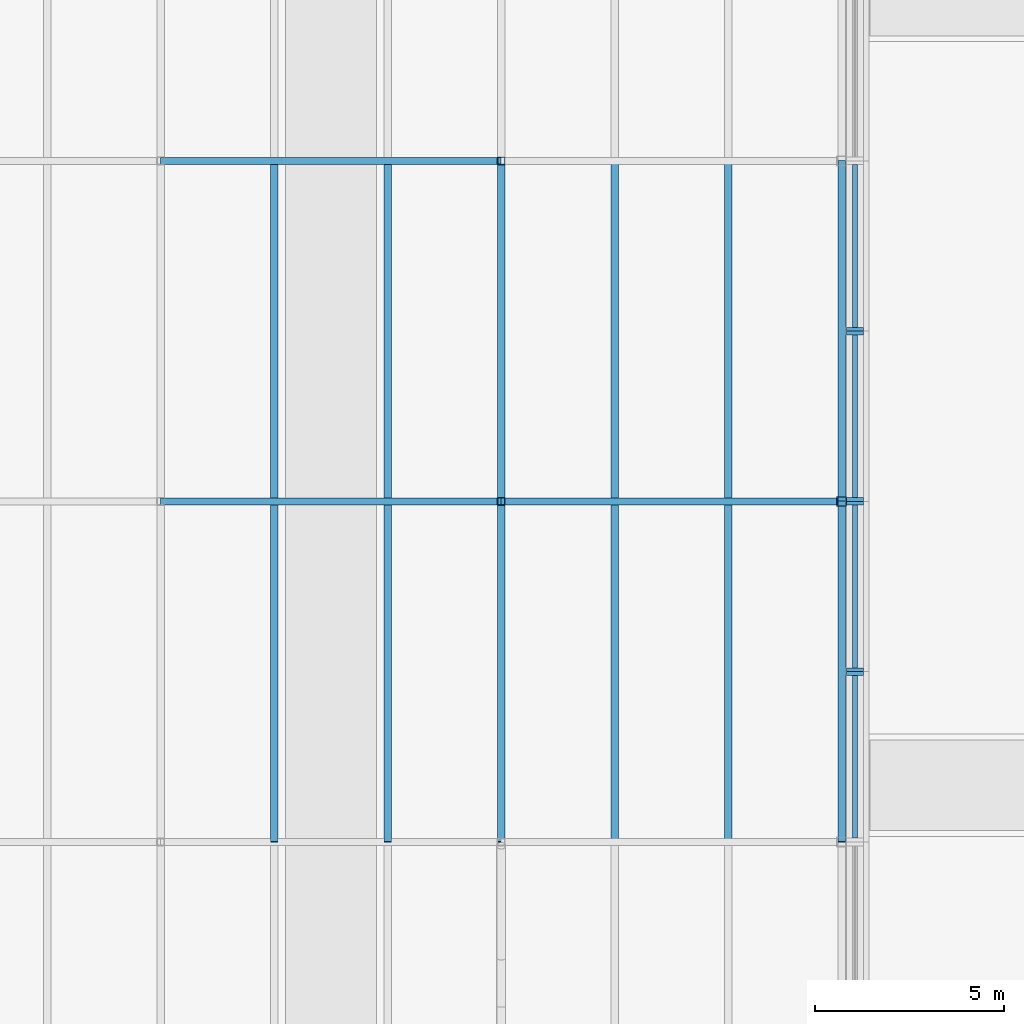
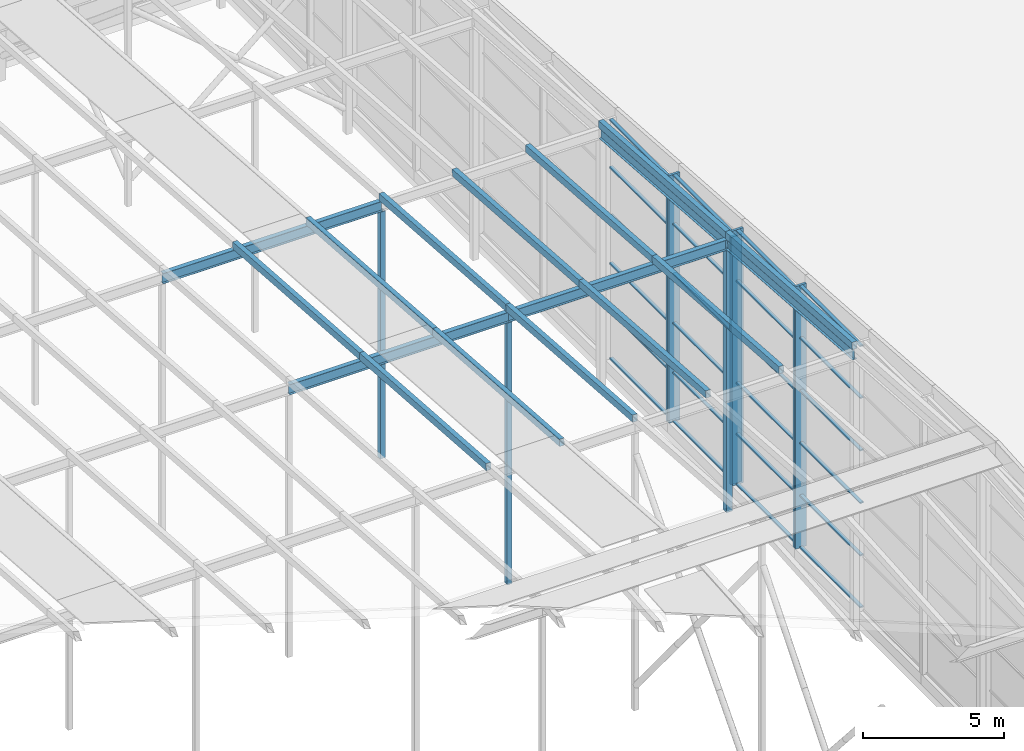
# One storey, part 43 of 84: 45 members, 5 beams, 4 elements without a shape of their own.
"""IFC4 building model written with IfcOpenShell, lengths in metres."""

from ifc_helpers import new_model, si_unit, direction, frame, origin, origin_2d, place, context, subcontext, project, spatial, rectangle, hollow_rectangle, i_section, extrude, material, material_profile, profile_set, type_object, element, aggregate, save


model = new_model("IFC4")

# Units and contexts
model_context = context("Model", 3, precision=1e-05, world=origin(), true_north=direction((0.0, 1.0)))
body_context = subcontext(model_context, "Body", "Model", "MODEL_VIEW")
ifc_project = project(units=[si_unit("LENGTHUNIT", "METRE"), si_unit("AREAUNIT", "SQUARE_METRE"), si_unit("VOLUMEUNIT", "CUBIC_METRE"), si_unit("PLANEANGLEUNIT", "RADIAN"), si_unit("MASSUNIT", "GRAM", prefix="KILO")], contexts=[model_context])

# Site, building, storey
site_placement = place(None, origin())
site = spatial("IfcSite", under=ifc_project, at=site_placement, CompositionType="ELEMENT")
building_placement = place(site_placement, origin())
building = spatial("IfcBuilding", under=site, at=building_placement, Name="Silverbay Arena", CompositionType="ELEMENT")
storey_placement = place(building_placement, frame((0.0, 0.0, 47.10009765625)))
storey = spatial("IfcBuildingStorey", under=building, at=storey_placement, Name="ROOF", CompositionType="ELEMENT", Elevation=47.10009765625)

# Curtain wall, member
ifc_material_1 = material(Name="Aluminium framed glazing", Category="aluminium")
curtain_wall_type_1 = type_object("IfcCurtainWallType", Name="Curtain wall crown 4500 x 11375", PredefinedType="NOTDEFINED", material=ifc_material_1)
curtain_wall_1_placement = place(storey_placement, origin())
curtain_wall_1 = element("IfcCurtainWall", 1, at=curtain_wall_1_placement, inside=storey, type_object=curtain_wall_type_1, Name="ROOF CROWN CURTAIN WALL east bay 16", PredefinedType="NOTDEFINED")
ifc_material_2 = material(Name="Aluminium", Category="aluminium")
ifc_material_profile_1 = material_profile(ifc_material_2, rectangle(XDim=0.449951171875, YDim=0.10009765625, at=origin_2d()), Name="Mullion 100 x 450")
ifc_profile_set_1 = profile_set([ifc_material_profile_1], Name="Aluminium")
member_type_1 = type_object("IfcMemberType", Name="Mullion 100 x 450", PredefinedType="MULLION", material=ifc_profile_set_1)
placement = place(building_placement, frame((0.0, 0.0, 33.5)))
member_1_placement = place(placement, frame((180.35009765625, 94.449951171875, 14.050048828125), z_axis=(0.0, 0.0, 1.0), x_axis=(-1.0, 0.0, 0.0)))
member_1 = element("IfcMember", 2, at=member_1_placement, type_object=member_type_1, Name="CW73 mullion 2", PredefinedType="MULLION", context=body_context, shape_type="SweptSolid", body=[
    extrude(rectangle(XDim=0.449951171875, YDim=0.10009765625, at=origin_2d()), origin(), (0.0, 0.0, 1.0), 11.375),
])

# Curtain wall, members
ifc_material_3 = material(Name="Aluminium framed glazing", Category="aluminium")
curtain_wall_type_2 = type_object("IfcCurtainWallType", Name="Curtain wall crown 4500 x 11050", PredefinedType="NOTDEFINED", material=ifc_material_3)
curtain_wall_2_placement = place(storey_placement, origin())
curtain_wall_2 = element("IfcCurtainWall", 3, at=curtain_wall_2_placement, inside=storey, type_object=curtain_wall_type_2, Name="ROOF CROWN CURTAIN WALL east bay 17", PredefinedType="NOTDEFINED")
member_2_placement = place(placement, frame((180.35009765625, 94.550048828125, 14.050048828125), z_axis=(0.0, 0.0, 1.0), x_axis=(-1.0, 0.0, 0.0)))
member_2 = element("IfcMember", 4, at=member_2_placement, type_object=member_type_1, Name="CW72 mullion 1", PredefinedType="MULLION", context=body_context, shape_type="SweptSolid", body=[
    extrude(rectangle(XDim=0.449951171875, YDim=0.10009765625, at=origin_2d()), origin(), (0.0, 0.0, 1.0), 11.050048828125),
])
member_3_placement = place(placement, frame((180.35009765625, 98.949951171875, 14.050048828125), z_axis=(0.0, 0.0, 1.0), x_axis=(-1.0, 0.0, 0.0)))
member_3 = element("IfcMember", 5, at=member_3_placement, type_object=member_type_1, Name="CW72 mullion 2", PredefinedType="MULLION", context=body_context, shape_type="SweptSolid", body=[
    extrude(rectangle(XDim=0.449951171875, YDim=0.10009765625, at=origin_2d()), origin(), (0.0, 0.0, 1.0), 11.050048828125),
])

ifc_material_4 = material(Name="Aluminium framed glazing", Category="aluminium")
curtain_wall_type_3 = type_object("IfcCurtainWallType", Name="Curtain wall crown 4500 x 10725", PredefinedType="NOTDEFINED", material=ifc_material_4)
curtain_wall_3_placement = place(storey_placement, origin())
curtain_wall_3 = element("IfcCurtainWall", 6, at=curtain_wall_3_placement, inside=storey, type_object=curtain_wall_type_3, Name="ROOF CROWN CURTAIN WALL east bay 18", PredefinedType="NOTDEFINED")
member_4_placement = place(placement, frame((180.35009765625, 99.050048828125, 14.050048828125), z_axis=(0.0, 0.0, 1.0), x_axis=(-1.0, 0.0, 0.0)))
member_4 = element("IfcMember", 7, at=member_4_placement, type_object=member_type_1, Name="CW71 mullion 1", PredefinedType="MULLION", context=body_context, shape_type="SweptSolid", body=[
    extrude(rectangle(XDim=0.449951171875, YDim=0.10009765625, at=origin_2d()), origin(), (0.0, 0.0, 1.0), 10.724853515625),
])
member_5_placement = place(placement, frame((180.35009765625, 103.449951171875, 14.050048828125), z_axis=(0.0, 0.0, 1.0), x_axis=(-1.0, 0.0, 0.0)))
member_5 = element("IfcMember", 8, at=member_5_placement, type_object=member_type_1, Name="CW71 mullion 2", PredefinedType="MULLION", context=body_context, shape_type="SweptSolid", body=[
    extrude(rectangle(XDim=0.449951171875, YDim=0.10009765625, at=origin_2d()), origin(), (0.0, 0.0, 1.0), 10.724853515625),
])

# Curtain wall, member
ifc_material_5 = material(Name="Aluminium framed glazing", Category="aluminium")
curtain_wall_type_4 = type_object("IfcCurtainWallType", Name="Curtain wall crown 4500 x 10400", PredefinedType="NOTDEFINED", material=ifc_material_5)
curtain_wall_4_placement = place(storey_placement, origin())
curtain_wall_4 = element("IfcCurtainWall", 9, at=curtain_wall_4_placement, inside=storey, type_object=curtain_wall_type_4, Name="ROOF CROWN CURTAIN WALL east bay 19", PredefinedType="NOTDEFINED")
member_6_placement = place(placement, frame((180.35009765625, 103.550048828125, 14.050048828125), z_axis=(0.0, 0.0, 1.0), x_axis=(-1.0, 0.0, 0.0)))
member_6 = element("IfcMember", 10, at=member_6_placement, type_object=member_type_1, Name="CW70 mullion 1", PredefinedType="MULLION", context=body_context, shape_type="SweptSolid", body=[
    extrude(rectangle(XDim=0.449951171875, YDim=0.10009765625, at=origin_2d()), origin(), (0.0, 0.0, 1.0), 10.39990234375),
])

# Members
ifc_material_6 = material(Name="Steel S355", Category="steel")
ifc_material_profile_2 = material_profile(ifc_material_6, hollow_rectangle(XDim=0.199951171875, YDim=0.300048828125, WallThickness=0.00634765625, at=origin_2d()), Name="RHS 300x200x6.3")
ifc_profile_set_2 = profile_set([ifc_material_profile_2], Name="Steel S355")
member_type_2 = type_object("IfcMemberType", Name="Purlin RHS 300x200x6.3", PredefinedType="PURLIN", material=ifc_profile_set_2)
for number, where, z_axis, x_axis, name in (
    (11, (165.0, 90.0, 11.99951171875), (0.0, 0.997402911363, -0.072023832195), (-1.0, 0.0, 0.0), "ROOF PURLIN crown line 29 bay 08"),
    (12, (165.0, 99.0, 11.349609375), (0.0, 0.997400967367, -0.07205074805), (-1.0, 0.0, 0.0), "ROOF PURLIN crown line 29 bay 09"),
    (13, (168.0, 90.0, 11.99951171875), (0.0, 0.997402911363, -0.072023832195), (-1.0, 0.0, 0.0), "ROOF PURLIN crown line 30 bay 08"),
    (14, (168.0, 99.0, 11.349609375), (0.0, 0.997400967367, -0.07205074805), (-1.0, 0.0, 0.0), "ROOF PURLIN crown line 30 bay 09"),
    (15, (171.0, 90.0, 11.99951171875), (0.0, 0.997402911363, -0.072023832195), (-1.0, 0.0, 0.0), "ROOF PURLIN crown line 31 bay 08"),
    (16, (171.0, 99.0, 11.349609375), (0.0, 0.997400967367, -0.07205074805), (-1.0, 0.0, 0.0), "ROOF PURLIN crown line 31 bay 09"),
    (17, (174.0, 90.0, 11.99951171875), (0.0, 0.997402911363, -0.072023832195), (-1.0, 0.0, 0.0), "ROOF PURLIN crown line 32 bay 08"),
    (18, (174.0, 99.0, 11.349609375), (0.0, 0.997400967367, -0.07205074805), (-1.0, 0.0, 0.0), "ROOF PURLIN crown line 32 bay 09"),
    (19, (177.0, 90.0, 11.99951171875), (0.0, 0.997402911363, -0.072023832195), (-1.0, 0.0, 0.0), "ROOF PURLIN crown line 33 bay 08"),
    (20, (177.0, 99.0, 11.349609375), (0.0, 0.997400967367, -0.07205074805), (-1.0, 0.0, 0.0), "ROOF PURLIN crown line 33 bay 09"),
):
    element("IfcMember", number, at=place(storey_placement, frame(where, z_axis=z_axis, x_axis=x_axis)), inside=storey, type_object=member_type_2, Name=name, PredefinedType="PURLIN", context=body_context, shape_type="SweptSolid", body=[
        extrude(hollow_rectangle(XDim=0.199951171875, YDim=0.300048828125, WallThickness=0.00634765625, at=origin_2d()), origin(), (0.0, 0.0, 1.0), 9.0234375),
    ])
ifc_material_7 = material(Name="Steel S355", Category="steel")
ifc_material_profile_3 = material_profile(ifc_material_7, hollow_rectangle(XDim=0.199951171875, YDim=0.300048828125, WallThickness=0.008056640625, at=origin_2d()), Name="RHS 300x200x8")
ifc_profile_set_3 = profile_set([ifc_material_profile_3], Name="Steel S355")
member_type_3 = type_object("IfcMemberType", Name="Purlin RHS 300x200x8", PredefinedType="PURLIN", material=ifc_profile_set_3)
for number, where, z_axis, x_axis, name in (
    (21, (180.0, 90.0, 11.99951171875), (0.0, 0.997402911363, -0.072023832195), (-1.0, 0.0, 0.0), "ROOF PURLIN crown line 34 bay 08"),
    (22, (180.0, 99.0, 11.349609375), (0.0, 0.997400967367, -0.07205074805), (-1.0, 0.0, 0.0), "ROOF PURLIN crown line 34 bay 09"),
):
    element("IfcMember", number, at=place(storey_placement, frame(where, z_axis=z_axis, x_axis=x_axis)), inside=storey, type_object=member_type_3, Name=name, PredefinedType="PURLIN", context=body_context, shape_type="SweptSolid", body=[
        extrude(hollow_rectangle(XDim=0.199951171875, YDim=0.300048828125, WallThickness=0.008056640625, at=origin_2d()), origin(), (0.0, 0.0, 1.0), 9.0234375),
    ])

# Beams
ifc_material_8 = material(Name="Steel S355", Category="steel")
ifc_material_profile_4 = material_profile(ifc_material_8, i_section(OverallWidth=0.18994140625, OverallDepth=0.453369140625, WebThickness=0.008544921875, FlangeThickness=0.0126953125, at=origin_2d()), Name="UB 457x191x67")
ifc_profile_set_4 = profile_set([ifc_material_profile_4], Name="Steel S355")
beam_type = type_object("IfcBeamType", Name="Ring beam UB 457x191x67", PredefinedType="BEAM", material=ifc_profile_set_4)
beam_1_placement = place(storey_placement, frame((162.0, 99.0, 10.972412109375), z_axis=(1.0, 0.0, 0.0), x_axis=(0.0, 1.0, 0.0)))
element("IfcBeam", 23, at=beam_1_placement, inside=storey, type_object=beam_type, Name="RING BEAM crown row 09 19-20", PredefinedType="BEAM", context=body_context, shape_type="SweptSolid", body=[
    extrude(i_section(OverallWidth=0.18994140625, OverallDepth=0.453369140625, WebThickness=0.008544921875, FlangeThickness=0.0126953125, at=origin_2d()), origin(), (0.0, 0.0, 1.0), 9.0),
])
beam_2_placement = place(storey_placement, frame((171.0, 99.0, 10.972412109375), z_axis=(1.0, 0.0, 0.0), x_axis=(0.0, 1.0, 0.0)))
element("IfcBeam", 24, at=beam_2_placement, inside=storey, type_object=beam_type, Name="RING BEAM crown row 09 20-21", PredefinedType="BEAM", context=body_context, shape_type="SweptSolid", body=[
    extrude(i_section(OverallWidth=0.18994140625, OverallDepth=0.453369140625, WebThickness=0.008544921875, FlangeThickness=0.0126953125, at=origin_2d()), origin(), (0.0, 0.0, 1.0), 8.905029296875),
])
beam_3_placement = place(storey_placement, frame((162.0, 108.0, 10.322509765625), z_axis=(1.0, 0.0, 0.0), x_axis=(0.0, 1.0, 0.0)))
element("IfcBeam", 25, at=beam_3_placement, inside=storey, type_object=beam_type, Name="RING BEAM crown row 10 19-20", PredefinedType="BEAM", context=body_context, shape_type="SweptSolid", body=[
    extrude(i_section(OverallWidth=0.18994140625, OverallDepth=0.453369140625, WebThickness=0.008544921875, FlangeThickness=0.0126953125, at=origin_2d()), origin(), (0.0, 0.0, 1.0), 9.0),
])
for number, where, z_axis, x_axis, name in (
    (26, (180.0, 90.0, 11.622314453125), (0.0, 0.997402911363, -0.072023832195), (-1.0, 0.0, 0.0), "RING BEAM crown east edge 08"),
    (27, (180.0, 99.0, 10.972412109375), (0.0, 0.997402911363, -0.072023832195), (-1.0, 0.0, 0.0), "RING BEAM crown east edge 09"),
):
    element("IfcBeam", number, at=place(storey_placement, frame(where, z_axis=z_axis, x_axis=x_axis)), inside=storey, type_object=beam_type, Name=name, PredefinedType="BEAM", context=body_context, shape_type="SweptSolid", body=[
        extrude(i_section(OverallWidth=0.18994140625, OverallDepth=0.453369140625, WebThickness=0.008544921875, FlangeThickness=0.0126953125, at=origin_2d()), origin(), (0.0, 0.0, 1.0), 9.0234375),
    ])

# Members
ifc_material_9 = material(Name="Steel S355", Category="steel")
ifc_material_profile_5 = material_profile(ifc_material_9, hollow_rectangle(XDim=0.199951171875, YDim=0.199951171875, WallThickness=0.008056640625, at=origin_2d()), Name="SHS 200x200x8")
ifc_profile_set_5 = profile_set([ifc_material_profile_5], Name="Steel S355")
member_type_4 = type_object("IfcMemberType", Name="Roof post SHS 200x200x8", PredefinedType="POST", material=ifc_profile_set_5)
member_7_placement = place(storey_placement, frame((171.0, 99.0, -0.60009765625), z_axis=(0.0, 0.0, 1.0), x_axis=(1.0, 0.0, 0.0)))
element("IfcMember", 28, at=member_7_placement, inside=storey, type_object=member_type_4, Name="ROOF CROWN POST 20 row 09", PredefinedType="POST", context=body_context, shape_type="SweptSolid", body=[
    extrude(hollow_rectangle(XDim=0.199951171875, YDim=0.199951171875, WallThickness=0.008056640625, at=origin_2d()), origin(), (0.0, 0.0, 1.0), 11.345703125),
])
member_8_placement = place(storey_placement, frame((171.0, 108.0, -0.60009765625), z_axis=(0.0, 0.0, 1.0), x_axis=(1.0, 0.0, 0.0)))
element("IfcMember", 29, at=member_8_placement, inside=storey, type_object=member_type_4, Name="ROOF CROWN POST 20 row 10", PredefinedType="POST", context=body_context, shape_type="SweptSolid", body=[
    extrude(hollow_rectangle(XDim=0.199951171875, YDim=0.199951171875, WallThickness=0.008056640625, at=origin_2d()), origin(), (0.0, 0.0, 1.0), 10.69580078125),
])
ifc_material_10 = material(Name="Steel S355", Category="steel")
ifc_material_profile_6 = material_profile(ifc_material_10, hollow_rectangle(XDim=0.25, YDim=0.25, WallThickness=0.008056640625, at=origin_2d()), Name="SHS 250x250x8")
ifc_profile_set_6 = profile_set([ifc_material_profile_6], Name="Steel S355")
member_type_5 = type_object("IfcMemberType", Name="Roof post SHS 250x250x8", PredefinedType="POST", material=ifc_profile_set_6)
member_9_placement = place(storey_placement, frame((180.0, 99.0, -0.60009765625), z_axis=(0.0, 0.0, 1.0), x_axis=(1.0, 0.0, 0.0)))
element("IfcMember", 30, at=member_9_placement, inside=storey, type_object=member_type_5, Name="ROOF CROWN POST 21 row 09", PredefinedType="POST", context=body_context, shape_type="SweptSolid", body=[
    extrude(hollow_rectangle(XDim=0.25, YDim=0.25, WallThickness=0.008056640625, at=origin_2d()), origin(), (0.0, 0.0, 1.0), 11.345703125),
])

# Member
ifc_material_11 = material(Name="Aluminium", Category="aluminium")
ifc_material_profile_7 = material_profile(ifc_material_11, rectangle(XDim=0.139892578125, YDim=0.06005859375, at=origin_2d()), Name="Transom 60 x 140")
ifc_profile_set_7 = profile_set([ifc_material_profile_7], Name="Aluminium")
member_type_6 = type_object("IfcMemberType", Name="Transom 60 x 140", PredefinedType="USERDEFINED", material=ifc_profile_set_7)
member_10_placement = place(placement, frame((180.35009765625, 90.10009765625, 14.080078125), z_axis=(0.0, 1.0, 0.0), x_axis=(-1.0, 0.0, 0.0)))
member_10 = element("IfcMember", 31, at=member_10_placement, type_object=member_type_6, Name="CW73 transom 1.1", ObjectType="TRANSOM", PredefinedType="USERDEFINED", context=body_context, shape_type="SweptSolid", body=[
    extrude(rectangle(XDim=0.139892578125, YDim=0.06005859375, at=origin_2d()), origin(), (0.0, 0.0, 1.0), 4.2998046875),
])

member_11_placement = place(placement, frame((180.35009765625, 90.10009765625, 16.324951171875), z_axis=(0.0, 1.0, 0.0), x_axis=(-1.0, 0.0, 0.0)))
member_11 = element("IfcMember", 32, at=member_11_placement, type_object=member_type_6, Name="CW73 transom 1.2", ObjectType="TRANSOM", PredefinedType="USERDEFINED", context=body_context, shape_type="SweptSolid", body=[
    extrude(rectangle(XDim=0.139892578125, YDim=0.06005859375, at=origin_2d()), origin(), (0.0, 0.0, 1.0), 4.2998046875),
])

member_12_placement = place(placement, frame((180.35009765625, 90.10009765625, 18.60009765625), z_axis=(0.0, 1.0, 0.0), x_axis=(-1.0, 0.0, 0.0)))
member_12 = element("IfcMember", 33, at=member_12_placement, type_object=member_type_6, Name="CW73 transom 1.3", ObjectType="TRANSOM", PredefinedType="USERDEFINED", context=body_context, shape_type="SweptSolid", body=[
    extrude(rectangle(XDim=0.139892578125, YDim=0.06005859375, at=origin_2d()), origin(), (0.0, 0.0, 1.0), 4.2998046875),
])

member_13_placement = place(placement, frame((180.35009765625, 90.10009765625, 20.875), z_axis=(0.0, 1.0, 0.0), x_axis=(-1.0, 0.0, 0.0)))
member_13 = element("IfcMember", 34, at=member_13_placement, type_object=member_type_6, Name="CW73 transom 1.4", ObjectType="TRANSOM", PredefinedType="USERDEFINED", context=body_context, shape_type="SweptSolid", body=[
    extrude(rectangle(XDim=0.139892578125, YDim=0.06005859375, at=origin_2d()), origin(), (0.0, 0.0, 1.0), 4.2998046875),
])

member_14_placement = place(placement, frame((180.35009765625, 90.10009765625, 23.14990234375), z_axis=(0.0, 1.0, 0.0), x_axis=(-1.0, 0.0, 0.0)))
member_14 = element("IfcMember", 35, at=member_14_placement, type_object=member_type_6, Name="CW73 transom 1.5", ObjectType="TRANSOM", PredefinedType="USERDEFINED", context=body_context, shape_type="SweptSolid", body=[
    extrude(rectangle(XDim=0.139892578125, YDim=0.06005859375, at=origin_2d()), origin(), (0.0, 0.0, 1.0), 4.2998046875),
])

member_15_placement = place(placement, frame((180.35009765625, 90.10009765625, 25.39501953125), z_axis=(0.0, 1.0, 0.0), x_axis=(-1.0, 0.0, 0.0)))
member_15 = element("IfcMember", 36, at=member_15_placement, type_object=member_type_6, Name="CW73 transom 1.6", ObjectType="TRANSOM", PredefinedType="USERDEFINED", context=body_context, shape_type="SweptSolid", body=[
    extrude(rectangle(XDim=0.139892578125, YDim=0.06005859375, at=origin_2d()), origin(), (0.0, 0.0, 1.0), 4.2998046875),
])

aggregate(curtain_wall_1, [member_1, member_10, member_11, member_12, member_13, member_14, member_15])

member_16_placement = place(placement, frame((180.35009765625, 94.60009765625, 14.080078125), z_axis=(0.0, 1.0, 0.0), x_axis=(-1.0, 0.0, 0.0)))
member_16 = element("IfcMember", 37, at=member_16_placement, type_object=member_type_6, Name="CW72 transom 1.1", ObjectType="TRANSOM", PredefinedType="USERDEFINED", context=body_context, shape_type="SweptSolid", body=[
    extrude(rectangle(XDim=0.139892578125, YDim=0.06005859375, at=origin_2d()), origin(), (0.0, 0.0, 1.0), 4.2998046875),
])

member_17_placement = place(placement, frame((180.35009765625, 94.60009765625, 16.260009765625), z_axis=(0.0, 1.0, 0.0), x_axis=(-1.0, 0.0, 0.0)))
member_17 = element("IfcMember", 38, at=member_17_placement, type_object=member_type_6, Name="CW72 transom 1.2", ObjectType="TRANSOM", PredefinedType="USERDEFINED", context=body_context, shape_type="SweptSolid", body=[
    extrude(rectangle(XDim=0.139892578125, YDim=0.06005859375, at=origin_2d()), origin(), (0.0, 0.0, 1.0), 4.2998046875),
])

member_18_placement = place(placement, frame((180.35009765625, 94.60009765625, 18.469970703125), z_axis=(0.0, 1.0, 0.0), x_axis=(-1.0, 0.0, 0.0)))
member_18 = element("IfcMember", 39, at=member_18_placement, type_object=member_type_6, Name="CW72 transom 1.3", ObjectType="TRANSOM", PredefinedType="USERDEFINED", context=body_context, shape_type="SweptSolid", body=[
    extrude(rectangle(XDim=0.139892578125, YDim=0.06005859375, at=origin_2d()), origin(), (0.0, 0.0, 1.0), 4.2998046875),
])

member_19_placement = place(placement, frame((180.35009765625, 94.60009765625, 20.679931640625), z_axis=(0.0, 1.0, 0.0), x_axis=(-1.0, 0.0, 0.0)))
member_19 = element("IfcMember", 40, at=member_19_placement, type_object=member_type_6, Name="CW72 transom 1.4", ObjectType="TRANSOM", PredefinedType="USERDEFINED", context=body_context, shape_type="SweptSolid", body=[
    extrude(rectangle(XDim=0.139892578125, YDim=0.06005859375, at=origin_2d()), origin(), (0.0, 0.0, 1.0), 4.2998046875),
])

member_20_placement = place(placement, frame((180.35009765625, 94.60009765625, 22.889892578125), z_axis=(0.0, 1.0, 0.0), x_axis=(-1.0, 0.0, 0.0)))
member_20 = element("IfcMember", 41, at=member_20_placement, type_object=member_type_6, Name="CW72 transom 1.5", ObjectType="TRANSOM", PredefinedType="USERDEFINED", context=body_context, shape_type="SweptSolid", body=[
    extrude(rectangle(XDim=0.139892578125, YDim=0.06005859375, at=origin_2d()), origin(), (0.0, 0.0, 1.0), 4.2998046875),
])

member_21_placement = place(placement, frame((180.35009765625, 94.60009765625, 25.070068359375), z_axis=(0.0, 1.0, 0.0), x_axis=(-1.0, 0.0, 0.0)))
member_21 = element("IfcMember", 42, at=member_21_placement, type_object=member_type_6, Name="CW72 transom 1.6", ObjectType="TRANSOM", PredefinedType="USERDEFINED", context=body_context, shape_type="SweptSolid", body=[
    extrude(rectangle(XDim=0.139892578125, YDim=0.06005859375, at=origin_2d()), origin(), (0.0, 0.0, 1.0), 4.2998046875),
])

aggregate(curtain_wall_2, [member_2, member_3, member_16, member_17, member_18, member_19, member_20, member_21])

member_22_placement = place(placement, frame((180.35009765625, 99.10009765625, 14.080078125), z_axis=(0.0, 1.0, 0.0), x_axis=(-1.0, 0.0, 0.0)))
member_22 = element("IfcMember", 43, at=member_22_placement, type_object=member_type_6, Name="CW71 transom 1.1", ObjectType="TRANSOM", PredefinedType="USERDEFINED", context=body_context, shape_type="SweptSolid", body=[
    extrude(rectangle(XDim=0.139892578125, YDim=0.06005859375, at=origin_2d()), origin(), (0.0, 0.0, 1.0), 4.2998046875),
])

member_23_placement = place(placement, frame((180.35009765625, 99.10009765625, 16.195068359375), z_axis=(0.0, 1.0, 0.0), x_axis=(-1.0, 0.0, 0.0)))
member_23 = element("IfcMember", 44, at=member_23_placement, type_object=member_type_6, Name="CW71 transom 1.2", ObjectType="TRANSOM", PredefinedType="USERDEFINED", context=body_context, shape_type="SweptSolid", body=[
    extrude(rectangle(XDim=0.139892578125, YDim=0.06005859375, at=origin_2d()), origin(), (0.0, 0.0, 1.0), 4.2998046875),
])

member_24_placement = place(placement, frame((180.35009765625, 99.10009765625, 18.340087890625), z_axis=(0.0, 1.0, 0.0), x_axis=(-1.0, 0.0, 0.0)))
member_24 = element("IfcMember", 45, at=member_24_placement, type_object=member_type_6, Name="CW71 transom 1.3", ObjectType="TRANSOM", PredefinedType="USERDEFINED", context=body_context, shape_type="SweptSolid", body=[
    extrude(rectangle(XDim=0.139892578125, YDim=0.06005859375, at=origin_2d()), origin(), (0.0, 0.0, 1.0), 4.2998046875),
])

member_25_placement = place(placement, frame((180.35009765625, 99.10009765625, 20.485107421875), z_axis=(0.0, 1.0, 0.0), x_axis=(-1.0, 0.0, 0.0)))
member_25 = element("IfcMember", 46, at=member_25_placement, type_object=member_type_6, Name="CW71 transom 1.4", ObjectType="TRANSOM", PredefinedType="USERDEFINED", context=body_context, shape_type="SweptSolid", body=[
    extrude(rectangle(XDim=0.139892578125, YDim=0.06005859375, at=origin_2d()), origin(), (0.0, 0.0, 1.0), 4.2998046875),
])

member_26_placement = place(placement, frame((180.35009765625, 99.10009765625, 22.6298828125), z_axis=(0.0, 1.0, 0.0), x_axis=(-1.0, 0.0, 0.0)))
member_26 = element("IfcMember", 47, at=member_26_placement, type_object=member_type_6, Name="CW71 transom 1.5", ObjectType="TRANSOM", PredefinedType="USERDEFINED", context=body_context, shape_type="SweptSolid", body=[
    extrude(rectangle(XDim=0.139892578125, YDim=0.06005859375, at=origin_2d()), origin(), (0.0, 0.0, 1.0), 4.2998046875),
])

member_27_placement = place(placement, frame((180.35009765625, 99.10009765625, 24.7451171875), z_axis=(0.0, 1.0, 0.0), x_axis=(-1.0, 0.0, 0.0)))
member_27 = element("IfcMember", 48, at=member_27_placement, type_object=member_type_6, Name="CW71 transom 1.6", ObjectType="TRANSOM", PredefinedType="USERDEFINED", context=body_context, shape_type="SweptSolid", body=[
    extrude(rectangle(XDim=0.139892578125, YDim=0.06005859375, at=origin_2d()), origin(), (0.0, 0.0, 1.0), 4.2998046875),
])

aggregate(curtain_wall_3, [member_4, member_5, member_22, member_23, member_24, member_25, member_26, member_27])

member_28_placement = place(placement, frame((180.35009765625, 103.60009765625, 14.080078125), z_axis=(0.0, 1.0, 0.0), x_axis=(-1.0, 0.0, 0.0)))
member_28 = element("IfcMember", 49, at=member_28_placement, type_object=member_type_6, Name="CW70 transom 1.1", ObjectType="TRANSOM", PredefinedType="USERDEFINED", context=body_context, shape_type="SweptSolid", body=[
    extrude(rectangle(XDim=0.139892578125, YDim=0.06005859375, at=origin_2d()), origin(), (0.0, 0.0, 1.0), 4.2998046875),
])

member_29_placement = place(placement, frame((180.35009765625, 103.60009765625, 16.1298828125), z_axis=(0.0, 1.0, 0.0), x_axis=(-1.0, 0.0, 0.0)))
member_29 = element("IfcMember", 50, at=member_29_placement, type_object=member_type_6, Name="CW70 transom 1.2", ObjectType="TRANSOM", PredefinedType="USERDEFINED", context=body_context, shape_type="SweptSolid", body=[
    extrude(rectangle(XDim=0.139892578125, YDim=0.06005859375, at=origin_2d()), origin(), (0.0, 0.0, 1.0), 4.2998046875),
])

member_30_placement = place(placement, frame((180.35009765625, 103.60009765625, 18.2099609375), z_axis=(0.0, 1.0, 0.0), x_axis=(-1.0, 0.0, 0.0)))
member_30 = element("IfcMember", 51, at=member_30_placement, type_object=member_type_6, Name="CW70 transom 1.3", ObjectType="TRANSOM", PredefinedType="USERDEFINED", context=body_context, shape_type="SweptSolid", body=[
    extrude(rectangle(XDim=0.139892578125, YDim=0.06005859375, at=origin_2d()), origin(), (0.0, 0.0, 1.0), 4.2998046875),
])

member_31_placement = place(placement, frame((180.35009765625, 103.60009765625, 20.2900390625), z_axis=(0.0, 1.0, 0.0), x_axis=(-1.0, 0.0, 0.0)))
member_31 = element("IfcMember", 52, at=member_31_placement, type_object=member_type_6, Name="CW70 transom 1.4", ObjectType="TRANSOM", PredefinedType="USERDEFINED", context=body_context, shape_type="SweptSolid", body=[
    extrude(rectangle(XDim=0.139892578125, YDim=0.06005859375, at=origin_2d()), origin(), (0.0, 0.0, 1.0), 4.2998046875),
])

member_32_placement = place(placement, frame((180.35009765625, 103.60009765625, 22.3701171875), z_axis=(0.0, 1.0, 0.0), x_axis=(-1.0, 0.0, 0.0)))
member_32 = element("IfcMember", 53, at=member_32_placement, type_object=member_type_6, Name="CW70 transom 1.5", ObjectType="TRANSOM", PredefinedType="USERDEFINED", context=body_context, shape_type="SweptSolid", body=[
    extrude(rectangle(XDim=0.139892578125, YDim=0.06005859375, at=origin_2d()), origin(), (0.0, 0.0, 1.0), 4.2998046875),
])

member_33_placement = place(placement, frame((180.35009765625, 103.60009765625, 24.419921875), z_axis=(0.0, 1.0, 0.0), x_axis=(-1.0, 0.0, 0.0)))
member_33 = element("IfcMember", 54, at=member_33_placement, type_object=member_type_6, Name="CW70 transom 1.6", ObjectType="TRANSOM", PredefinedType="USERDEFINED", context=body_context, shape_type="SweptSolid", body=[
    extrude(rectangle(XDim=0.139892578125, YDim=0.06005859375, at=origin_2d()), origin(), (0.0, 0.0, 1.0), 4.2998046875),
])

aggregate(curtain_wall_4, [member_6, member_28, member_29, member_30, member_31, member_32, member_33])

save(model, "model.ifc")
